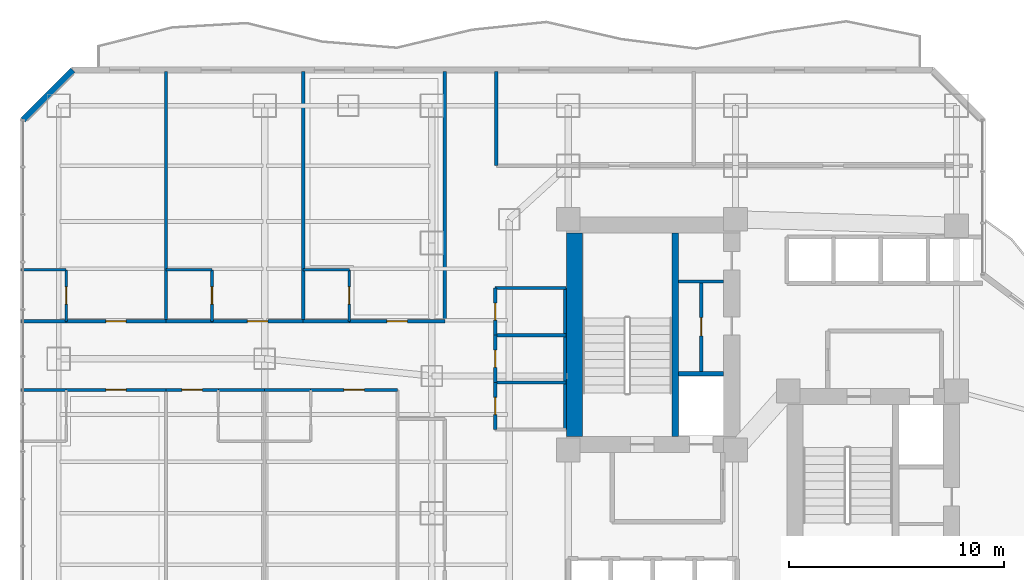
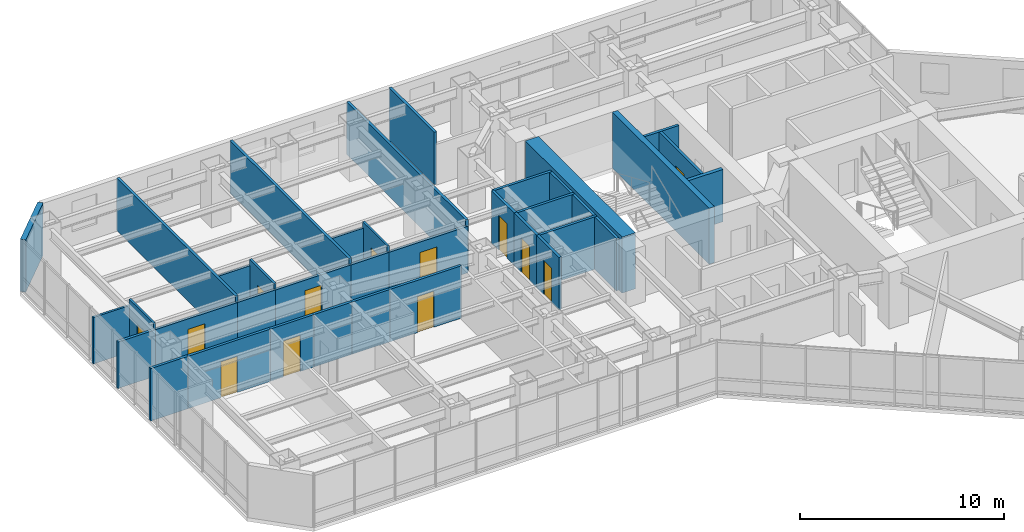
# One storey, part 31 of 38: 35 walls, 13 doors, 13 openings.
"""IFC4 building model written with IfcOpenShell, lengths in metres."""

from ifc_helpers import new_model, si_unit, direction, frame, frame_2d, origin, place, context, subcontext, project, spatial, rectangle, extrude, material, layer, layer_set, type_object, element, fill, save


model = new_model("IFC4")

# Units and contexts
model_context = context("Model", 3, precision=1e-05, world=origin(), true_north=direction((0.0, 1.0)))
body_context = subcontext(model_context, "Body", "Model", "MODEL_VIEW")
ifc_project = project(units=[si_unit("LENGTHUNIT", "METRE"), si_unit("AREAUNIT", "SQUARE_METRE"), si_unit("VOLUMEUNIT", "CUBIC_METRE"), si_unit("PLANEANGLEUNIT", "RADIAN"), si_unit("MASSUNIT", "GRAM", prefix="KILO")], contexts=[model_context])

# Site, building, storey
site_placement = place(None, origin())
site = spatial("IfcSite", under=ifc_project, at=site_placement, CompositionType="ELEMENT")
building_placement = place(site_placement, origin())
building = spatial("IfcBuilding", under=site, at=building_placement, Name="Hatsunagi Terrace Concourse", CompositionType="ELEMENT")
storey_placement = place(building_placement, frame((0.0, 0.0, 63.39990234375)))
storey = spatial("IfcBuildingStorey", under=building, at=storey_placement, Name="L16", CompositionType="ELEMENT", Elevation=63.39990234375)

# Walls
ifc_material_1 = material(Name="Concrete Fc60", Category="concrete")
ifc_layer_1 = layer(ifc_material_1, 0.75)
ifc_layer_set_1 = layer_set([ifc_layer_1], Name="CoreShearWall_Fc60_750")
wall_type_1 = type_object("IfcWallType", Name="CoreShearWall_Fc60_750", PredefinedType="SHEAR", material=ifc_layer_set_1)
wall_1_placement = place(storey_placement, frame((25.844970703125, 33.18994140625, 0.0), z_axis=(0.0, 0.0, 1.0), x_axis=(0.0, 1.0, 0.0)))
element("IfcWall", 1, at=wall_1_placement, inside=storey, type_object=wall_type_1, Name="Core A Shear Wall W L16", PredefinedType="SHEAR", context=body_context, shape_type="SweptSolid", body=[
    extrude(rectangle(XDim=9.47998046875, YDim=0.75, at=frame_2d((4.739990234375, 0.0))), origin(), (0.0, 0.0, 1.0), 3.35009765625),
])
ifc_material_2 = material(Name="Concrete Fc48", Category="concrete")
ifc_layer_2 = layer(ifc_material_2, 0.300048828125)
ifc_layer_set_2 = layer_set([ifc_layer_2], Name="CoreStairDivider_Fc48_300")
wall_type_2 = type_object("IfcWallType", Name="CoreStairDivider_Fc48_300", PredefinedType="SHEAR", material=ifc_layer_set_2)
wall_2_placement = place(storey_placement, frame((30.5400390625, 33.18994140625, 0.0), z_axis=(0.0, 0.0, 1.0), x_axis=(0.0, 1.0, 0.0)))
element("IfcWall", 2, at=wall_2_placement, inside=storey, type_object=wall_type_2, Name="Core A Shear Wall D L16", PredefinedType="SHEAR", context=body_context, shape_type="SweptSolid", body=[
    extrude(rectangle(XDim=9.47998046875, YDim=0.300048828125, at=frame_2d((4.739990234375, 0.0))), origin(), (0.0, 0.0, 1.0), 3.35009765625),
])

# Wall, opening, door
ifc_material_3 = material(Name="Acoustic mineral board", Category="gypsum")
ifc_layer_3 = layer(ifc_material_3, 0.1201171875)
ifc_layer_set_3 = layer_set([ifc_layer_3], Name="PartitionWall_EI30_120")
wall_type_3 = type_object("IfcWallType", Name="PartitionWall_EI30_120", PredefinedType="PARTITIONING", material=ifc_layer_set_3)
wall_3_placement = place(storey_placement, frame((2.14990234375, 38.550048828125, 0.0), z_axis=(0.0, 0.0, 1.0), x_axis=(0.0, 1.0, 0.0)))
wall_3 = element("IfcWall", 3, at=wall_3_placement, inside=storey, type_object=wall_type_3, Name="Interior Partition IW-L16-047", PredefinedType="PARTITIONING", context=body_context, shape_type="SweptSolid", body=[
    extrude(rectangle(XDim=2.39990234375, YDim=0.1201171875, at=frame_2d((1.199951171875, 0.0))), origin(), (0.0, 0.0, 1.0), 3.130126953125),
])
opening_1_placement = place(wall_3_placement, frame((0.800048828125, 0.0, 0.0)))
opening_1 = element("IfcOpeningElement", 4, at=opening_1_placement, cuts=wall_3, Name="Opening DR-080", PredefinedType="OPENING", context=body_context, shape_type="SweptSolid", body=[
    extrude(rectangle(XDim=0.800048828125, YDim=2.06005859375, at=frame_2d((0.39990234375, 1.030029296875))), frame((0.0, 0.070068359375, 0.0), z_axis=(0.0, -1.0, 0.0), x_axis=(1.0, 0.0, 0.0)), (0.0, 0.0, 1.0), 0.14013671875),
])
ifc_material_4 = material(Name="Hardwood timber", Category="wood")
door_type_1 = type_object("IfcDoorType", Name="BathroomDoor_800", OperationType="NOTDEFINED", PredefinedType="DOOR", material=ifc_material_4)
door_1_placement = place(opening_1_placement, origin())
door_1 = element("IfcDoor", 5, at=door_1_placement, inside=storey, type_object=door_type_1, Name="En-Suite Bathroom L16-N1 Door", OperationType="SINGLE_SWING_RIGHT", OverallHeight=2.06005859375, OverallWidth=0.800048828125, PredefinedType="DOOR", context=body_context, shape_type="SweptSolid", body=[
    extrude(rectangle(XDim=0.800048828125, YDim=2.06005859375, at=frame_2d((0.39990234375, 1.030029296875))), frame((0.0, 0.02490234375, 0.0), z_axis=(0.0, -1.0, 0.0), x_axis=(1.0, 0.0, 0.0)), (0.0, 0.0, 1.0), 0.050048828125),
])
fill(opening_1, door_1)

# Wall
wall_4_placement = place(storey_placement, frame((0.0400390625, 40.949951171875, 0.0), z_axis=(0.0, 0.0, 1.0), x_axis=(1.0, 0.0, 0.0)))
element("IfcWall", 6, at=wall_4_placement, inside=storey, type_object=wall_type_3, Name="Interior Partition IW-L16-048", PredefinedType="PARTITIONING", context=body_context, shape_type="SweptSolid", body=[
    extrude(rectangle(XDim=2.10986328125, YDim=0.1201171875, at=frame_2d((1.054931640625, 0.0))), origin(), (0.0, 0.0, 1.0), 2.775146484375),
])

# Wall, opening, door
wall_5_placement = place(storey_placement, frame((8.949951171875, 38.550048828125, 0.0), z_axis=(0.0, 0.0, 1.0), x_axis=(0.0, 1.0, 0.0)))
wall_5 = element("IfcWall", 7, at=wall_5_placement, inside=storey, type_object=wall_type_3, Name="Interior Partition IW-L16-052", PredefinedType="PARTITIONING", context=body_context, shape_type="SweptSolid", body=[
    extrude(rectangle(XDim=2.39990234375, YDim=0.1201171875, at=frame_2d((1.199951171875, 0.0))), origin(), (0.0, 0.0, 1.0), 3.130126953125),
])
opening_2_placement = place(wall_5_placement, frame((0.800048828125, 0.0, 0.0)))
opening_2 = element("IfcOpeningElement", 8, at=opening_2_placement, cuts=wall_5, Name="Opening DR-080", PredefinedType="OPENING", context=body_context, shape_type="SweptSolid", body=[
    extrude(rectangle(XDim=0.800048828125, YDim=2.06005859375, at=frame_2d((0.39990234375, 1.030029296875))), frame((0.0, 0.070068359375, 0.0), z_axis=(0.0, -1.0, 0.0), x_axis=(1.0, 0.0, 0.0)), (0.0, 0.0, 1.0), 0.14013671875),
])
door_2_placement = place(opening_2_placement, origin())
door_2 = element("IfcDoor", 9, at=door_2_placement, inside=storey, type_object=door_type_1, Name="En-Suite Bathroom L16-N2 Door", OperationType="SINGLE_SWING_LEFT", OverallHeight=2.06005859375, OverallWidth=0.800048828125, PredefinedType="DOOR", context=body_context, shape_type="SweptSolid", body=[
    extrude(rectangle(XDim=0.800048828125, YDim=2.06005859375, at=frame_2d((0.39990234375, 1.030029296875))), frame((0.0, 0.02490234375, 0.0), z_axis=(0.0, -1.0, 0.0), x_axis=(1.0, 0.0, 0.0)), (0.0, 0.0, 1.0), 0.050048828125),
])
fill(opening_2, door_2)

# Wall
wall_6_placement = place(storey_placement, frame((6.800048828125, 40.949951171875, 0.0), z_axis=(0.0, 0.0, 1.0), x_axis=(1.0, 0.0, 0.0)))
element("IfcWall", 10, at=wall_6_placement, inside=storey, type_object=wall_type_3, Name="Interior Partition IW-L16-053", PredefinedType="PARTITIONING", context=body_context, shape_type="SweptSolid", body=[
    extrude(rectangle(XDim=2.14990234375, YDim=0.1201171875, at=frame_2d((1.074951171875, 0.0))), origin(), (0.0, 0.0, 1.0), 2.775146484375),
])

# Wall, opening, door
wall_7_placement = place(storey_placement, frame((15.35009765625, 38.550048828125, 0.0), z_axis=(0.0, 0.0, 1.0), x_axis=(0.0, 1.0, 0.0)))
wall_7 = element("IfcWall", 11, at=wall_7_placement, inside=storey, type_object=wall_type_3, Name="Interior Partition IW-L16-057", PredefinedType="PARTITIONING", context=body_context, shape_type="SweptSolid", body=[
    extrude(rectangle(XDim=2.39990234375, YDim=0.1201171875, at=frame_2d((1.199951171875, 0.0))), origin(), (0.0, 0.0, 1.0), 3.130126953125),
])
opening_3_placement = place(wall_7_placement, frame((0.800048828125, 0.0, 0.0)))
opening_3 = element("IfcOpeningElement", 12, at=opening_3_placement, cuts=wall_7, Name="Opening DR-080", PredefinedType="OPENING", context=body_context, shape_type="SweptSolid", body=[
    extrude(rectangle(XDim=0.800048828125, YDim=2.06005859375, at=frame_2d((0.39990234375, 1.030029296875))), frame((0.0, 0.070068359375, 0.0), z_axis=(0.0, -1.0, 0.0), x_axis=(1.0, 0.0, 0.0)), (0.0, 0.0, 1.0), 0.14013671875),
])
door_3_placement = place(opening_3_placement, origin())
door_3 = element("IfcDoor", 13, at=door_3_placement, inside=storey, type_object=door_type_1, Name="En-Suite Bathroom L16-N3 Door", OperationType="SINGLE_SWING_LEFT", OverallHeight=2.06005859375, OverallWidth=0.800048828125, PredefinedType="DOOR", context=body_context, shape_type="SweptSolid", body=[
    extrude(rectangle(XDim=0.800048828125, YDim=2.06005859375, at=frame_2d((0.39990234375, 1.030029296875))), frame((0.0, 0.02490234375, 0.0), z_axis=(0.0, -1.0, 0.0), x_axis=(1.0, 0.0, 0.0)), (0.0, 0.0, 1.0), 0.050048828125),
])
fill(opening_3, door_3)

# Wall
wall_8_placement = place(storey_placement, frame((13.199951171875, 40.949951171875, 0.0), z_axis=(0.0, 0.0, 1.0), x_axis=(1.0, 0.0, 0.0)))
element("IfcWall", 14, at=wall_8_placement, inside=storey, type_object=wall_type_3, Name="Interior Partition IW-L16-058", PredefinedType="PARTITIONING", context=body_context, shape_type="SweptSolid", body=[
    extrude(rectangle(XDim=2.150146484375, YDim=0.1201171875, at=frame_2d((1.0751953125, 0.0))), origin(), (0.0, 0.0, 1.0), 2.775146484375),
])

# Wall, opening, door
ifc_material_5 = material(Name="Acoustic mineral board", Category="gypsum")
ifc_layer_4 = layer(ifc_material_5, 0.14990234375)
ifc_layer_set_4 = layer_set([ifc_layer_4], Name="PartitionWall_EI60_150")
wall_type_4 = type_object("IfcWallType", Name="PartitionWall_EI60_150", PredefinedType="PARTITIONING", material=ifc_layer_set_4)
wall_9_placement = place(storey_placement, frame((31.75, 36.179931640625, 0.0), z_axis=(0.0, 0.0, 1.0), x_axis=(0.0, 1.0, 0.0)))
wall_9 = element("IfcWall", 15, at=wall_9_placement, inside=storey, type_object=wall_type_4, Name="Interior Partition IW-L16-002", PredefinedType="PARTITIONING", context=body_context, shape_type="SweptSolid", body=[
    extrude(rectangle(XDim=4.239990234375, YDim=0.14990234375, at=frame_2d((2.1201171875, 0.0))), origin(), (0.0, 0.0, 1.0), 3.130126953125),
])
opening_4_placement = place(wall_9_placement, frame((1.695068359375, 0.0, 0.0)))
opening_4 = element("IfcOpeningElement", 16, at=opening_4_placement, cuts=wall_9, Name="Opening DR-085", PredefinedType="OPENING", context=body_context, shape_type="SweptSolid", body=[
    extrude(rectangle(XDim=0.85009765625, YDim=2.080078125, at=frame_2d((0.425048828125, 1.0400390625))), frame((0.0, 0.0849609375, 0.0), z_axis=(0.0, -1.0, 0.0), x_axis=(1.0, 0.0, 0.0)), (0.0, 0.0, 1.0), 0.169921875),
])
ifc_material_6 = material(Name="Painted steel", Category="steel")
door_type_2 = type_object("IfcDoorType", Name="RiserAccessDoor_EI60_850", OperationType="NOTDEFINED", PredefinedType="DOOR", material=ifc_material_6)
door_4_placement = place(opening_4_placement, origin())
door_4 = element("IfcDoor", 17, at=door_4_placement, inside=storey, type_object=door_type_2, Name="Core A Sub-Riser Door L16", OperationType="SINGLE_SWING_LEFT", OverallHeight=2.080078125, OverallWidth=0.85009765625, PredefinedType="DOOR", context=body_context, shape_type="SweptSolid", body=[
    extrude(rectangle(XDim=0.85009765625, YDim=2.080078125, at=frame_2d((0.425048828125, 1.0400390625))), frame((0.0, 0.02490234375, 0.0), z_axis=(0.0, -1.0, 0.0), x_axis=(1.0, 0.0, 0.0)), (0.0, 0.0, 1.0), 0.050048828125),
])
fill(opening_4, door_4)

# Walls
wall_10_placement = place(storey_placement, frame((30.699951171875, 40.39990234375, 0.0), z_axis=(0.0, 0.0, 1.0), x_axis=(1.0, 0.0, 0.0)))
element("IfcWall", 18, at=wall_10_placement, inside=storey, type_object=wall_type_4, Name="Interior Partition IW-L16-003", PredefinedType="PARTITIONING", context=body_context, shape_type="SweptSolid", body=[
    extrude(rectangle(XDim=2.10009765625, YDim=0.14990234375, at=frame_2d((1.050048828125, 0.0))), origin(), (0.0, 0.0, 1.0), 3.130126953125),
])
wall_11_placement = place(storey_placement, frame((22.14990234375, 40.10009765625, 0.0), z_axis=(0.0, 0.0, 1.0), x_axis=(1.0, 0.0, 0.0)))
element("IfcWall", 19, at=wall_11_placement, inside=storey, type_object=wall_type_4, Name="Interior Partition IW-L16-031", PredefinedType="PARTITIONING", context=body_context, shape_type="SweptSolid", body=[
    extrude(rectangle(XDim=3.300048828125, YDim=0.14990234375, at=frame_2d((1.64990234375, 0.0))), origin(), (0.0, 0.0, 1.0), 3.130126953125),
])
wall_12_placement = place(storey_placement, frame((25.39990234375, 33.5, 0.0), z_axis=(0.0, 0.0, 1.0), x_axis=(0.0, 1.0, 0.0)))
element("IfcWall", 20, at=wall_12_placement, inside=storey, type_object=wall_type_4, Name="Interior Partition IW-L16-032", PredefinedType="PARTITIONING", context=body_context, shape_type="SweptSolid", body=[
    extrude(rectangle(XDim=6.60009765625, YDim=0.14990234375, at=frame_2d((3.300048828125, 0.0))), origin(), (0.0, 0.0, 1.0), 3.130126953125),
])
for number, where, z_axis, x_axis, name in (
    (21, (22.14990234375, 35.699951171875, 0.0), (0.0, 0.0, 1.0), (1.0, 0.0, 0.0), "Interior Partition IW-L16-033"),
    (22, (22.14990234375, 37.89990234375, 0.0), (0.0, 0.0, 1.0), (1.0, 0.0, 0.0), "Interior Partition IW-L16-034"),
):
    element("IfcWall", number, at=place(storey_placement, frame(where, z_axis=z_axis, x_axis=x_axis)), inside=storey, type_object=wall_type_4, Name=name, PredefinedType="PARTITIONING", context=body_context, shape_type="SweptSolid", body=[
        extrude(rectangle(XDim=3.300048828125, YDim=0.14990234375, at=frame_2d((1.64990234375, 0.0))), origin(), (0.0, 0.0, 1.0), 3.130126953125),
    ])

# Wall, opening, door
wall_13_placement = place(storey_placement, frame((22.14990234375, 33.5, 0.0), z_axis=(0.0, 0.0, 1.0), x_axis=(0.0, 1.0, 0.0)))
wall_13 = element("IfcWall", 23, at=wall_13_placement, inside=storey, type_object=wall_type_4, Name="Interior Partition IW-L16-035", PredefinedType="PARTITIONING", context=body_context, shape_type="SweptSolid", body=[
    extrude(rectangle(XDim=2.199951171875, YDim=0.14990234375, at=frame_2d((1.10009765625, 0.0))), origin(), (0.0, 0.0, 1.0), 3.130126953125),
])
opening_5_placement = place(wall_13_placement, frame((0.699951171875, 0.0, 0.0)))
opening_5 = element("IfcOpeningElement", 24, at=opening_5_placement, cuts=wall_13, Name="Opening DR-080", PredefinedType="OPENING", context=body_context, shape_type="SweptSolid", body=[
    extrude(rectangle(XDim=0.800048828125, YDim=2.06005859375, at=frame_2d((0.39990234375, 1.030029296875))), frame((0.0, 0.0849609375, 0.0), z_axis=(0.0, -1.0, 0.0), x_axis=(1.0, 0.0, 0.0)), (0.0, 0.0, 1.0), 0.169921875),
])
door_5_placement = place(opening_5_placement, origin())
door_5 = element("IfcDoor", 25, at=door_5_placement, inside=storey, type_object=door_type_1, Name="Accessible WC Door L16", OperationType="SINGLE_SWING_RIGHT", OverallHeight=2.06005859375, OverallWidth=0.800048828125, PredefinedType="DOOR", context=body_context, shape_type="SweptSolid", body=[
    extrude(rectangle(XDim=0.800048828125, YDim=2.06005859375, at=frame_2d((0.39990234375, 1.030029296875))), frame((0.0, 0.02490234375, 0.0), z_axis=(0.0, -1.0, 0.0), x_axis=(1.0, 0.0, 0.0)), (0.0, 0.0, 1.0), 0.050048828125),
])
fill(opening_5, door_5)

wall_14_placement = place(storey_placement, frame((22.14990234375, 35.699951171875, 0.0), z_axis=(0.0, 0.0, 1.0), x_axis=(0.0, 1.0, 0.0)))
wall_14 = element("IfcWall", 26, at=wall_14_placement, inside=storey, type_object=wall_type_4, Name="Interior Partition IW-L16-036", PredefinedType="PARTITIONING", context=body_context, shape_type="SweptSolid", body=[
    extrude(rectangle(XDim=2.199951171875, YDim=0.14990234375, at=frame_2d((1.10009765625, 0.0))), origin(), (0.0, 0.0, 1.0), 3.130126953125),
])
opening_6_placement = place(wall_14_placement, frame((0.699951171875, 0.0, 0.0)))
opening_6 = element("IfcOpeningElement", 27, at=opening_6_placement, cuts=wall_14, Name="Opening DR-080", PredefinedType="OPENING", context=body_context, shape_type="SweptSolid", body=[
    extrude(rectangle(XDim=0.800048828125, YDim=2.06005859375, at=frame_2d((0.39990234375, 1.030029296875))), frame((0.0, 0.0849609375, 0.0), z_axis=(0.0, -1.0, 0.0), x_axis=(1.0, 0.0, 0.0)), (0.0, 0.0, 1.0), 0.169921875),
])
door_6_placement = place(opening_6_placement, origin())
door_6 = element("IfcDoor", 28, at=door_6_placement, inside=storey, type_object=door_type_1, Name="Female Restroom Door L16", OperationType="SINGLE_SWING_RIGHT", OverallHeight=2.06005859375, OverallWidth=0.800048828125, PredefinedType="DOOR", context=body_context, shape_type="SweptSolid", body=[
    extrude(rectangle(XDim=0.800048828125, YDim=2.06005859375, at=frame_2d((0.39990234375, 1.030029296875))), frame((0.0, 0.02490234375, 0.0), z_axis=(0.0, -1.0, 0.0), x_axis=(1.0, 0.0, 0.0)), (0.0, 0.0, 1.0), 0.050048828125),
])
fill(opening_6, door_6)

wall_15_placement = place(storey_placement, frame((22.14990234375, 37.89990234375, 0.0), z_axis=(0.0, 0.0, 1.0), x_axis=(0.0, 1.0, 0.0)))
wall_15 = element("IfcWall", 29, at=wall_15_placement, inside=storey, type_object=wall_type_4, Name="Interior Partition IW-L16-037", PredefinedType="PARTITIONING", context=body_context, shape_type="SweptSolid", body=[
    extrude(rectangle(XDim=2.2001953125, YDim=0.14990234375, at=frame_2d((1.10009765625, 0.0))), origin(), (0.0, 0.0, 1.0), 3.130126953125),
])
opening_7_placement = place(wall_15_placement, frame((0.699951171875, 0.0, 0.0)))
opening_7 = element("IfcOpeningElement", 30, at=opening_7_placement, cuts=wall_15, Name="Opening DR-080", PredefinedType="OPENING", context=body_context, shape_type="SweptSolid", body=[
    extrude(rectangle(XDim=0.800048828125, YDim=2.06005859375, at=frame_2d((0.39990234375, 1.030029296875))), frame((0.0, 0.0849609375, 0.0), z_axis=(0.0, -1.0, 0.0), x_axis=(1.0, 0.0, 0.0)), (0.0, 0.0, 1.0), 0.169921875),
])
door_7_placement = place(opening_7_placement, origin())
door_7 = element("IfcDoor", 31, at=door_7_placement, inside=storey, type_object=door_type_1, Name="Male Restroom Door L16", OperationType="SINGLE_SWING_RIGHT", OverallHeight=2.06005859375, OverallWidth=0.800048828125, PredefinedType="DOOR", context=body_context, shape_type="SweptSolid", body=[
    extrude(rectangle(XDim=0.800048828125, YDim=2.06005859375, at=frame_2d((0.39990234375, 1.030029296875))), frame((0.0, 0.02490234375, 0.0), z_axis=(0.0, -1.0, 0.0), x_axis=(1.0, 0.0, 0.0)), (0.0, 0.0, 1.0), 0.050048828125),
])
fill(opening_7, door_7)

# Walls
wall_16_placement = place(storey_placement, frame((22.199951171875, 45.800048828125, 0.0), z_axis=(0.0, 0.0, 1.0), x_axis=(0.0, 1.0, 0.0)))
element("IfcWall", 32, at=wall_16_placement, inside=storey, type_object=wall_type_4, Name="Interior Partition IW-L16-039", PredefinedType="PARTITIONING", context=body_context, shape_type="SweptSolid", body=[
    extrude(rectangle(XDim=4.39990234375, YDim=0.14990234375, at=frame_2d((2.199951171875, 0.0))), origin(), (0.0, 0.0, 1.0), 3.130126953125),
])
wall_17_placement = place(storey_placement, frame((0.0400390625, 38.550048828125, 0.0), z_axis=(0.0, 0.0, 1.0), x_axis=(1.0, 0.0, 0.0)))
element("IfcWall", 33, at=wall_17_placement, inside=storey, type_object=wall_type_4, Name="Interior Partition IW-L16-045", PredefinedType="PARTITIONING", context=body_context, shape_type="SweptSolid", body=[
    extrude(rectangle(XDim=2.10986328125, YDim=0.14990234375, at=frame_2d((1.054931640625, 0.0))), origin(), (0.0, 0.0, 1.0), 2.775146484375),
])

# Wall, opening, door
wall_18_placement = place(storey_placement, frame((2.14990234375, 38.550048828125, 0.0), z_axis=(0.0, 0.0, 1.0), x_axis=(1.0, 0.0, 0.0)))
wall_18 = element("IfcWall", 34, at=wall_18_placement, inside=storey, type_object=wall_type_4, Name="Interior Partition IW-L16-046", PredefinedType="PARTITIONING", context=body_context, shape_type="SweptSolid", body=[
    extrude(rectangle(XDim=4.650146484375, YDim=0.14990234375, at=frame_2d((2.3251953125, 0.0))), origin(), (0.0, 0.0, 1.0), 2.775146484375),
])
opening_8_placement = place(wall_18_placement, frame((1.85009765625, 0.0, 0.0)))
opening_8 = element("IfcOpeningElement", 35, at=opening_8_placement, cuts=wall_18, Name="Opening DR-095", PredefinedType="OPENING", context=body_context, shape_type="SweptSolid", body=[
    extrude(rectangle(XDim=0.949951171875, YDim=2.14990234375, at=frame_2d((0.47509765625, 1.074951171875))), frame((0.0, 0.0849609375, 0.0), z_axis=(0.0, -1.0, 0.0), x_axis=(1.0, 0.0, 0.0)), (0.0, 0.0, 1.0), 0.169921875),
])
ifc_material_7 = material(Name="Hardwood timber", Category="wood")
door_type_3 = type_object("IfcDoorType", Name="InteriorSuiteDoor_EI30_950", OperationType="NOTDEFINED", PredefinedType="DOOR", material=ifc_material_7)
door_8_placement = place(opening_8_placement, origin())
door_8 = element("IfcDoor", 36, at=door_8_placement, inside=storey, type_object=door_type_3, Name="Corner Hotel Suite L16-N1 Door", OperationType="SINGLE_SWING_LEFT", OverallHeight=2.14990234375, OverallWidth=0.949951171875, PredefinedType="DOOR", context=body_context, shape_type="SweptSolid", body=[
    extrude(rectangle(XDim=0.949951171875, YDim=2.14990234375, at=frame_2d((0.47509765625, 1.074951171875))), frame((0.0, 0.02490234375, 0.0), z_axis=(0.0, -1.0, 0.0), x_axis=(1.0, 0.0, 0.0)), (0.0, 0.0, 1.0), 0.050048828125),
])
fill(opening_8, door_8)

# Walls
wall_19_placement = place(storey_placement, frame((6.800048828125, 38.550048828125, 0.0), z_axis=(0.0, 0.0, 1.0), x_axis=(0.0, 1.0, 0.0)))
element("IfcWall", 37, at=wall_19_placement, inside=storey, type_object=wall_type_4, Name="Interior Partition IW-L16-049", PredefinedType="PARTITIONING", context=body_context, shape_type="SweptSolid", body=[
    extrude(rectangle(XDim=11.64990234375, YDim=0.14990234375, at=frame_2d((5.824951171875, 0.0))), origin(), (0.0, 0.0, 1.0), 3.130126953125),
])
wall_20_placement = place(storey_placement, frame((6.800048828125, 38.550048828125, 0.0), z_axis=(0.0, 0.0, 1.0), x_axis=(1.0, 0.0, 0.0)))
element("IfcWall", 38, at=wall_20_placement, inside=storey, type_object=wall_type_4, Name="Interior Partition IW-L16-050", PredefinedType="PARTITIONING", context=body_context, shape_type="SweptSolid", body=[
    extrude(rectangle(XDim=2.14990234375, YDim=0.14990234375, at=frame_2d((1.074951171875, 0.0))), origin(), (0.0, 0.0, 1.0), 2.775146484375),
])

# Wall, opening, door
wall_21_placement = place(storey_placement, frame((8.949951171875, 38.550048828125, 0.0), z_axis=(0.0, 0.0, 1.0), x_axis=(1.0, 0.0, 0.0)))
wall_21 = element("IfcWall", 39, at=wall_21_placement, inside=storey, type_object=wall_type_4, Name="Interior Partition IW-L16-051", PredefinedType="PARTITIONING", context=body_context, shape_type="SweptSolid", body=[
    extrude(rectangle(XDim=4.25, YDim=0.14990234375, at=frame_2d((2.125, 0.0))), origin(), (0.0, 0.0, 1.0), 2.775146484375),
])
opening_9_placement = place(wall_21_placement, frame((1.64990234375, 0.0, 0.0)))
opening_9 = element("IfcOpeningElement", 40, at=opening_9_placement, cuts=wall_21, Name="Opening DR-095", PredefinedType="OPENING", context=body_context, shape_type="SweptSolid", body=[
    extrude(rectangle(XDim=0.949951171875, YDim=2.14990234375, at=frame_2d((0.47509765625, 1.074951171875))), frame((0.0, 0.0849609375, 0.0), z_axis=(0.0, -1.0, 0.0), x_axis=(1.0, 0.0, 0.0)), (0.0, 0.0, 1.0), 0.169921875),
])
door_9_placement = place(opening_9_placement, origin())
door_9 = element("IfcDoor", 41, at=door_9_placement, inside=storey, type_object=door_type_3, Name="Hotel Guest Room L16-N2 Door", OperationType="SINGLE_SWING_LEFT", OverallHeight=2.14990234375, OverallWidth=0.949951171875, PredefinedType="DOOR", context=body_context, shape_type="SweptSolid", body=[
    extrude(rectangle(XDim=0.949951171875, YDim=2.14990234375, at=frame_2d((0.47509765625, 1.074951171875))), frame((0.0, 0.02490234375, 0.0), z_axis=(0.0, -1.0, 0.0), x_axis=(1.0, 0.0, 0.0)), (0.0, 0.0, 1.0), 0.050048828125),
])
fill(opening_9, door_9)

# Walls
wall_22_placement = place(storey_placement, frame((13.199951171875, 38.550048828125, 0.0), z_axis=(0.0, 0.0, 1.0), x_axis=(0.0, 1.0, 0.0)))
element("IfcWall", 42, at=wall_22_placement, inside=storey, type_object=wall_type_4, Name="Interior Partition IW-L16-054", PredefinedType="PARTITIONING", context=body_context, shape_type="SweptSolid", body=[
    extrude(rectangle(XDim=11.64990234375, YDim=0.14990234375, at=frame_2d((5.824951171875, 0.0))), origin(), (0.0, 0.0, 1.0), 3.130126953125),
])
wall_23_placement = place(storey_placement, frame((13.199951171875, 38.550048828125, 0.0), z_axis=(0.0, 0.0, 1.0), x_axis=(1.0, 0.0, 0.0)))
element("IfcWall", 43, at=wall_23_placement, inside=storey, type_object=wall_type_4, Name="Interior Partition IW-L16-055", PredefinedType="PARTITIONING", context=body_context, shape_type="SweptSolid", body=[
    extrude(rectangle(XDim=2.150146484375, YDim=0.14990234375, at=frame_2d((1.0751953125, 0.0))), origin(), (0.0, 0.0, 1.0), 2.775146484375),
])

# Wall, opening, door
wall_24_placement = place(storey_placement, frame((15.35009765625, 38.550048828125, 0.0), z_axis=(0.0, 0.0, 1.0), x_axis=(1.0, 0.0, 0.0)))
wall_24 = element("IfcWall", 44, at=wall_24_placement, inside=storey, type_object=wall_type_4, Name="Interior Partition IW-L16-056", PredefinedType="PARTITIONING", context=body_context, shape_type="SweptSolid", body=[
    extrude(rectangle(XDim=4.449951171875, YDim=0.14990234375, at=frame_2d((2.22509765625, 0.0))), origin(), (0.0, 0.0, 1.0), 2.775146484375),
])
opening_10_placement = place(wall_24_placement, frame((1.75, 0.0, 0.0)))
opening_10 = element("IfcOpeningElement", 45, at=opening_10_placement, cuts=wall_24, Name="Opening DR-095", PredefinedType="OPENING", context=body_context, shape_type="SweptSolid", body=[
    extrude(rectangle(XDim=0.949951171875, YDim=2.14990234375, at=frame_2d((0.47509765625, 1.074951171875))), frame((0.0, 0.0849609375, 0.0), z_axis=(0.0, -1.0, 0.0), x_axis=(1.0, 0.0, 0.0)), (0.0, 0.0, 1.0), 0.169921875),
])
door_10_placement = place(opening_10_placement, origin())
door_10 = element("IfcDoor", 46, at=door_10_placement, inside=storey, type_object=door_type_3, Name="Corner Hotel Suite L16-N3 Door", OperationType="SINGLE_SWING_LEFT", OverallHeight=2.14990234375, OverallWidth=0.949951171875, PredefinedType="DOOR", context=body_context, shape_type="SweptSolid", body=[
    extrude(rectangle(XDim=0.949951171875, YDim=2.14990234375, at=frame_2d((0.47509765625, 1.074951171875))), frame((0.0, 0.02490234375, 0.0), z_axis=(0.0, -1.0, 0.0), x_axis=(1.0, 0.0, 0.0)), (0.0, 0.0, 1.0), 0.050048828125),
])
fill(opening_10, door_10)

# Walls
wall_25_placement = place(storey_placement, frame((19.800048828125, 38.550048828125, 0.0), z_axis=(0.0, 0.0, 1.0), x_axis=(0.0, 1.0, 0.0)))
element("IfcWall", 47, at=wall_25_placement, inside=storey, type_object=wall_type_4, Name="Interior Partition IW-L16-059", PredefinedType="PARTITIONING", context=body_context, shape_type="SweptSolid", body=[
    extrude(rectangle(XDim=11.64990234375, YDim=0.14990234375, at=frame_2d((5.824951171875, 0.0))), origin(), (0.0, 0.0, 1.0), 3.130126953125),
])
wall_26_placement = place(storey_placement, frame((0.0400390625, 35.35009765625, 0.0), z_axis=(0.0, 0.0, 1.0), x_axis=(1.0, 0.0, 0.0)))
element("IfcWall", 48, at=wall_26_placement, inside=storey, type_object=wall_type_4, Name="Interior Partition IW-L16-060", PredefinedType="PARTITIONING", context=body_context, shape_type="SweptSolid", body=[
    extrude(rectangle(XDim=2.10986328125, YDim=0.14990234375, at=frame_2d((1.054931640625, 0.0))), origin(), (0.0, 0.0, 1.0), 3.130126953125),
])

# Wall, opening, door
wall_27_placement = place(storey_placement, frame((2.14990234375, 35.35009765625, 0.0), z_axis=(0.0, 0.0, 1.0), x_axis=(1.0, 0.0, 0.0)))
wall_27 = element("IfcWall", 49, at=wall_27_placement, inside=storey, type_object=wall_type_4, Name="Interior Partition IW-L16-061", PredefinedType="PARTITIONING", context=body_context, shape_type="SweptSolid", body=[
    extrude(rectangle(XDim=4.650146484375, YDim=0.14990234375, at=frame_2d((2.3251953125, 0.0))), origin(), (0.0, 0.0, 1.0), 3.130126953125),
])
opening_11_placement = place(wall_27_placement, frame((1.85009765625, 0.0, 0.0)))
opening_11 = element("IfcOpeningElement", 50, at=opening_11_placement, cuts=wall_27, Name="Opening DR-095", PredefinedType="OPENING", context=body_context, shape_type="SweptSolid", body=[
    extrude(rectangle(XDim=0.949951171875, YDim=2.14990234375, at=frame_2d((0.47509765625, 1.074951171875))), frame((0.0, 0.0849609375, 0.0), z_axis=(0.0, -1.0, 0.0), x_axis=(1.0, 0.0, 0.0)), (0.0, 0.0, 1.0), 0.169921875),
])
door_11_placement = place(opening_11_placement, origin())
door_11 = element("IfcDoor", 51, at=door_11_placement, inside=storey, type_object=door_type_3, Name="Corner Hotel Suite L16-S1 Door", OperationType="SINGLE_SWING_RIGHT", OverallHeight=2.14990234375, OverallWidth=0.949951171875, PredefinedType="DOOR", context=body_context, shape_type="SweptSolid", body=[
    extrude(rectangle(XDim=0.949951171875, YDim=2.14990234375, at=frame_2d((0.47509765625, 1.074951171875))), frame((0.0, 0.02490234375, 0.0), z_axis=(0.0, -1.0, 0.0), x_axis=(1.0, 0.0, 0.0)), (0.0, 0.0, 1.0), 0.050048828125),
])
fill(opening_11, door_11)

wall_28_placement = place(storey_placement, frame((6.800048828125, 35.35009765625, 0.0), z_axis=(0.0, 0.0, 1.0), x_axis=(1.0, 0.0, 0.0)))
wall_28 = element("IfcWall", 52, at=wall_28_placement, inside=storey, type_object=wall_type_4, Name="Interior Partition IW-L16-065", PredefinedType="PARTITIONING", context=body_context, shape_type="SweptSolid", body=[
    extrude(rectangle(XDim=2.449951171875, YDim=0.14990234375, at=frame_2d((1.22509765625, 0.0))), origin(), (0.0, 0.0, 1.0), 3.130126953125),
])
opening_12_placement = place(wall_28_placement, frame((0.75, 0.0, 0.0)))
opening_12 = element("IfcOpeningElement", 53, at=opening_12_placement, cuts=wall_28, Name="Opening DR-095", PredefinedType="OPENING", context=body_context, shape_type="SweptSolid", body=[
    extrude(rectangle(XDim=0.949951171875, YDim=2.14990234375, at=frame_2d((0.47509765625, 1.074951171875))), frame((0.0, 0.0849609375, 0.0), z_axis=(0.0, -1.0, 0.0), x_axis=(1.0, 0.0, 0.0)), (0.0, 0.0, 1.0), 0.169921875),
])
door_12_placement = place(opening_12_placement, origin())
door_12 = element("IfcDoor", 54, at=door_12_placement, inside=storey, type_object=door_type_3, Name="Hotel Guest Room L16-S2 Door", OperationType="SINGLE_SWING_RIGHT", OverallHeight=2.14990234375, OverallWidth=0.949951171875, PredefinedType="DOOR", context=body_context, shape_type="SweptSolid", body=[
    extrude(rectangle(XDim=0.949951171875, YDim=2.14990234375, at=frame_2d((0.47509765625, 1.074951171875))), frame((0.0, 0.02490234375, 0.0), z_axis=(0.0, -1.0, 0.0), x_axis=(1.0, 0.0, 0.0)), (0.0, 0.0, 1.0), 0.050048828125),
])
fill(opening_12, door_12)

# Walls
wall_29_placement = place(storey_placement, frame((9.25, 35.35009765625, 0.0), z_axis=(0.0, 0.0, 1.0), x_axis=(1.0, 0.0, 0.0)))
element("IfcWall", 55, at=wall_29_placement, inside=storey, type_object=wall_type_4, Name="Interior Partition IW-L16-066", PredefinedType="PARTITIONING", context=body_context, shape_type="SweptSolid", body=[
    extrude(rectangle(XDim=2.14990234375, YDim=0.14990234375, at=frame_2d((1.074951171875, 0.0))), origin(), (0.0, 0.0, 1.0), 3.130126953125),
])
wall_30_placement = place(storey_placement, frame((11.39990234375, 35.35009765625, 0.0), z_axis=(0.0, 0.0, 1.0), x_axis=(1.0, 0.0, 0.0)))
element("IfcWall", 56, at=wall_30_placement, inside=storey, type_object=wall_type_4, Name="Interior Partition IW-L16-070", PredefinedType="PARTITIONING", context=body_context, shape_type="SweptSolid", body=[
    extrude(rectangle(XDim=2.150146484375, YDim=0.14990234375, at=frame_2d((1.0751953125, 0.0))), origin(), (0.0, 0.0, 1.0), 3.130126953125),
])

# Wall, opening, door
wall_31_placement = place(storey_placement, frame((13.550048828125, 35.35009765625, 0.0), z_axis=(0.0, 0.0, 1.0), x_axis=(1.0, 0.0, 0.0)))
wall_31 = element("IfcWall", 57, at=wall_31_placement, inside=storey, type_object=wall_type_4, Name="Interior Partition IW-L16-071", PredefinedType="PARTITIONING", context=body_context, shape_type="SweptSolid", body=[
    extrude(rectangle(XDim=4.050048828125, YDim=0.14990234375, at=frame_2d((2.02490234375, 0.0))), origin(), (0.0, 0.0, 1.0), 3.130126953125),
])
opening_13_placement = place(wall_31_placement, frame((1.550048828125, 0.0, 0.0)))
opening_13 = element("IfcOpeningElement", 58, at=opening_13_placement, cuts=wall_31, Name="Opening DR-095", PredefinedType="OPENING", context=body_context, shape_type="SweptSolid", body=[
    extrude(rectangle(XDim=0.949951171875, YDim=2.14990234375, at=frame_2d((0.47509765625, 1.074951171875))), frame((0.0, 0.0849609375, 0.0), z_axis=(0.0, -1.0, 0.0), x_axis=(1.0, 0.0, 0.0)), (0.0, 0.0, 1.0), 0.169921875),
])
door_13_placement = place(opening_13_placement, origin())
door_13 = element("IfcDoor", 59, at=door_13_placement, inside=storey, type_object=door_type_3, Name="Hotel Guest Room L16-S3 Door", OperationType="SINGLE_SWING_RIGHT", OverallHeight=2.14990234375, OverallWidth=0.949951171875, PredefinedType="DOOR", context=body_context, shape_type="SweptSolid", body=[
    extrude(rectangle(XDim=0.949951171875, YDim=2.14990234375, at=frame_2d((0.47509765625, 1.074951171875))), frame((0.0, 0.02490234375, 0.0), z_axis=(0.0, -1.0, 0.0), x_axis=(1.0, 0.0, 0.0)), (0.0, 0.0, 1.0), 0.050048828125),
])
fill(opening_13, door_13)

# Walls
ifc_material_8 = material(Name="Acoustic mineral board", Category="gypsum")
ifc_layer_5 = layer(ifc_material_8, 0.199951171875)
ifc_layer_set_5 = layer_set([ifc_layer_5], Name="ShaftWall_EI120_200")
wall_type_5 = type_object("IfcWallType", Name="ShaftWall_EI120_200", PredefinedType="STANDARD", material=ifc_layer_set_5)
wall_32_placement = place(storey_placement, frame((30.699951171875, 36.10009765625, 0.0), z_axis=(0.0, 0.0, 1.0), x_axis=(1.0, 0.0, 0.0)))
element("IfcWall", 60, at=wall_32_placement, inside=storey, type_object=wall_type_5, Name="Interior Partition IW-L16-001", PredefinedType="STANDARD", context=body_context, shape_type="SweptSolid", body=[
    extrude(rectangle(XDim=2.10009765625, YDim=0.199951171875, at=frame_2d((1.050048828125, 0.0))), origin(), (0.0, 0.0, 1.0), 3.130126953125),
])
ifc_material_9 = material(Name="Autoclaved Lightweight Concrete and Terracotta Cladding", Category="masonry")
ifc_layer_6 = layer(ifc_material_9, 0.280029296875)
ifc_layer_set_6 = layer_set([ifc_layer_6], Name="TerracottaSpandrelWall_280")
wall_type_6 = type_object("IfcWallType", Name="TerracottaSpandrelWall_280", PredefinedType="STANDARD", material=ifc_layer_set_6)
wall_33_placement = place(storey_placement, frame((0.139892578125, 47.94189453125, 0.0), z_axis=(0.0, 0.0, 1.0), x_axis=(0.707106781187, 0.707106781187, 0.0)))
element("IfcWall", 61, at=wall_33_placement, inside=storey, type_object=wall_type_6, Name="Exterior Spandrel Wall EW-L16-10", PredefinedType="STANDARD", context=body_context, shape_type="SweptSolid", body=[
    extrude(rectangle(XDim=3.2783203125, YDim=0.280029296875, at=frame_2d((1.63916015625, 0.0))), origin(), (0.0, 0.0, 1.0), 3.130126953125),
])

save(model, "model.ifc")
